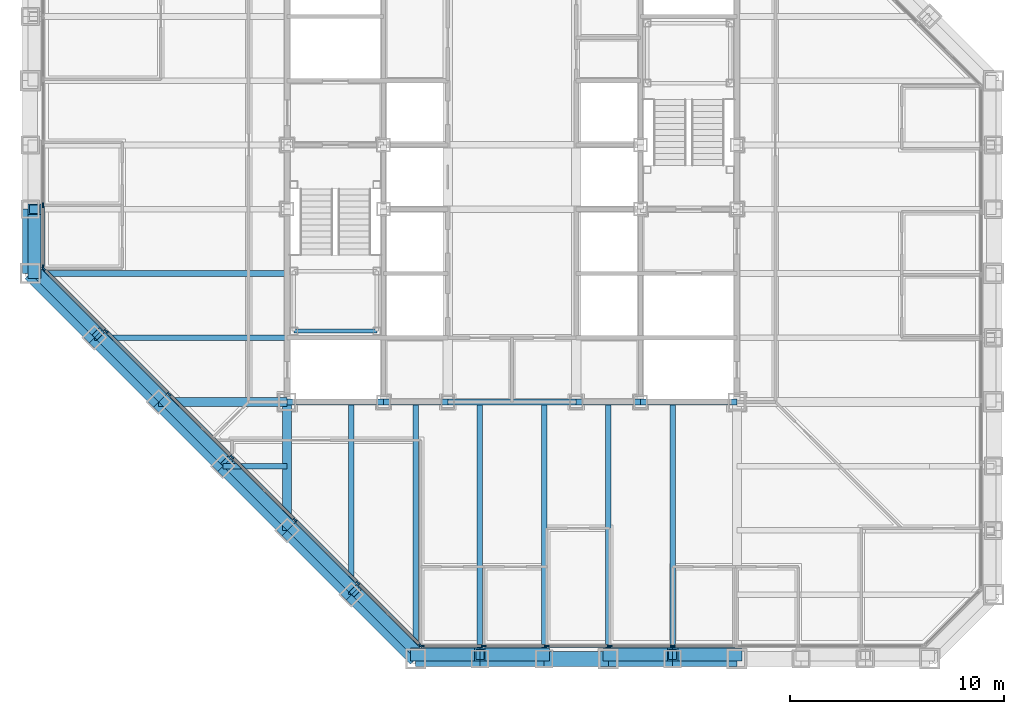
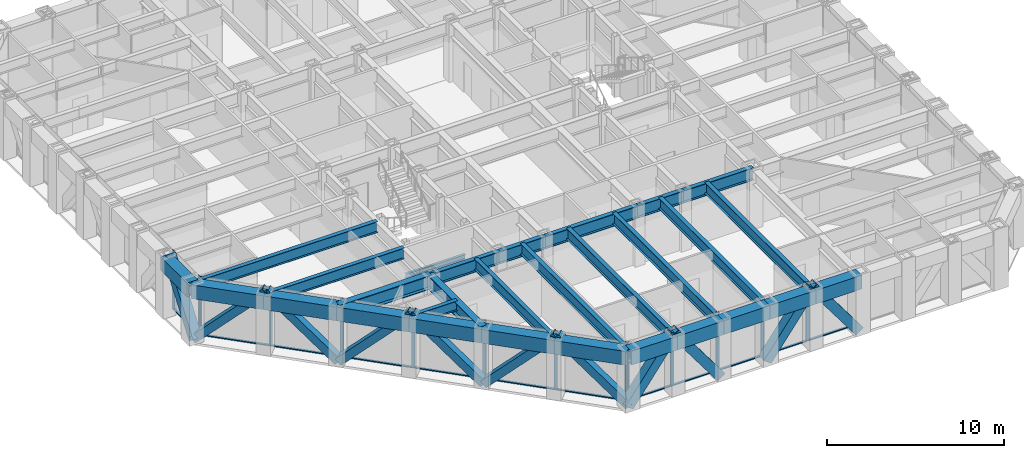
# One storey, part 4 of 17: 37 members, 29 beams, 3 elements without a shape of their own.
"""IFC4 building model written with IfcOpenShell, lengths in metres."""

from ifc_helpers import new_model, si_unit, direction, frame, origin, origin_2d, place, context, subcontext, project, spatial, rectangle, hollow_rectangle, i_section, extrude, material, layer, layer_set, material_profile, profile_set, type_object, element, aggregate, save


model = new_model("IFC4")

# Units and contexts
model_context = context("Model", 3, precision=1e-05, world=origin(), true_north=direction((0.0, 1.0)))
body_context = subcontext(model_context, "Body", "Model", "MODEL_VIEW")
ifc_project = project(units=[si_unit("LENGTHUNIT", "METRE"), si_unit("AREAUNIT", "SQUARE_METRE"), si_unit("VOLUMEUNIT", "CUBIC_METRE"), si_unit("PLANEANGLEUNIT", "RADIAN"), si_unit("MASSUNIT", "GRAM", prefix="KILO")], contexts=[model_context])

# Site, building, storey
site_placement = place(None, origin())
site = spatial("IfcSite", under=ifc_project, at=site_placement, CompositionType="ELEMENT")
building_placement = place(site_placement, origin())
building = spatial("IfcBuilding", under=site, at=building_placement, Name="Chuquiago Exchange Tower", CompositionType="ELEMENT")
storey_placement = place(building_placement, frame((0.0, 0.0, 169.800048828125)))
storey = spatial("IfcBuildingStorey", under=building, at=storey_placement, Name="L37", CompositionType="ELEMENT", Elevation=169.800048828125)

# Beams
ifc_material_1 = material(Name="Steel ASTM A992", Category="steel")
ifc_material_profile_1 = material_profile(ifc_material_1, i_section(OverallWidth=0.2919921875, OverallDepth=0.8583984375, WebThickness=0.01708984375, FlangeThickness=0.031005859375, at=origin_2d()), Name="W33X169")
ifc_profile_set_1 = profile_set([ifc_material_profile_1], Name="Steel ASTM A992")
beam_type_1 = type_object("IfcBeamType", Name="B3 W33X169", PredefinedType="BEAM", material=ifc_profile_set_1)
beam_1_placement = place(storey_placement, frame((12.0, 12.0, 3.610595703125), z_axis=(1.0, 0.0, 0.0), x_axis=(0.0, 1.0, 0.0)))
element("IfcBeam", 1, at=beam_1_placement, inside=storey, type_object=beam_type_1, Name="CB-L38-12_12-16.5_12", PredefinedType="BEAM", context=body_context, shape_type="SweptSolid", body=[
    extrude(i_section(OverallWidth=0.2919921875, OverallDepth=0.8583984375, WebThickness=0.01708984375, FlangeThickness=0.031005859375, at=origin_2d()), origin(), (0.0, 0.0, 1.0), 4.5),
])
beam_2_placement = place(storey_placement, frame((16.5, 12.0, 3.610595703125), z_axis=(1.0, 0.0, 0.0), x_axis=(0.0, 1.0, 0.0)))
element("IfcBeam", 2, at=beam_2_placement, inside=storey, type_object=beam_type_1, Name="CB-L38-16.5_12-19.5_12", PredefinedType="BEAM", context=body_context, shape_type="SweptSolid", body=[
    extrude(i_section(OverallWidth=0.2919921875, OverallDepth=0.8583984375, WebThickness=0.01708984375, FlangeThickness=0.031005859375, at=origin_2d()), origin(), (0.0, 0.0, 1.0), 3.0),
])
beam_3_placement = place(storey_placement, frame((19.5, 12.0, 3.610595703125), z_axis=(1.0, 0.0, 0.0), x_axis=(0.0, 1.0, 0.0)))
element("IfcBeam", 3, at=beam_3_placement, inside=storey, type_object=beam_type_1, Name="CB-L38-19.5_12-25.5_12", PredefinedType="BEAM", context=body_context, shape_type="SweptSolid", body=[
    extrude(i_section(OverallWidth=0.2919921875, OverallDepth=0.8583984375, WebThickness=0.01708984375, FlangeThickness=0.031005859375, at=origin_2d()), origin(), (0.0, 0.0, 1.0), 6.0),
])
beam_4_placement = place(storey_placement, frame((25.5, 12.0, 3.610595703125), z_axis=(1.0, 0.0, 0.0), x_axis=(0.0, 1.0, 0.0)))
element("IfcBeam", 4, at=beam_4_placement, inside=storey, type_object=beam_type_1, Name="CB-L38-25.5_12-28.5_12", PredefinedType="BEAM", context=body_context, shape_type="SweptSolid", body=[
    extrude(i_section(OverallWidth=0.2919921875, OverallDepth=0.8583984375, WebThickness=0.01708984375, FlangeThickness=0.031005859375, at=origin_2d()), origin(), (0.0, 0.0, 1.0), 3.0),
])
beam_5_placement = place(storey_placement, frame((28.5, 12.0, 3.610595703125), z_axis=(1.0, 0.0, 0.0), x_axis=(0.0, 1.0, 0.0)))
element("IfcBeam", 5, at=beam_5_placement, inside=storey, type_object=beam_type_1, Name="CB-L38-28.5_12-33_12", PredefinedType="BEAM", context=body_context, shape_type="SweptSolid", body=[
    extrude(i_section(OverallWidth=0.2919921875, OverallDepth=0.8583984375, WebThickness=0.01708984375, FlangeThickness=0.031005859375, at=origin_2d()), origin(), (0.0, 0.0, 1.0), 4.5),
])
ifc_material_2 = material(Name="Steel ASTM A992", Category="steel")
ifc_material_profile_2 = material_profile(ifc_material_2, i_section(OverallWidth=0.2666015625, OverallDepth=0.761962890625, WebThickness=0.014404296875, FlangeThickness=0.021484375, at=origin_2d()), Name="W30X116")
ifc_profile_set_2 = profile_set([ifc_material_profile_2], Name="Steel ASTM A992")
beam_type_2 = type_object("IfcBeamType", Name="B8 W30X116", PredefinedType="BEAM", material=ifc_profile_set_2)
beam_6_placement = place(storey_placement, frame((15.0, 12.0, 3.658935546875), z_axis=(0.0, -1.0, 0.0), x_axis=(1.0, 0.0, 0.0)))
element("IfcBeam", 6, at=beam_6_placement, inside=storey, type_object=beam_type_2, Name="FB-L38-infill-15_12-15_3-0", PredefinedType="BEAM", context=body_context, shape_type="SweptSolid", body=[
    extrude(i_section(OverallWidth=0.2666015625, OverallDepth=0.761962890625, WebThickness=0.014404296875, FlangeThickness=0.021484375, at=origin_2d()), origin(), (0.0, 0.0, 1.0), 9.0),
])
for number, where, z_axis, x_axis, name in (
    (7, (18.0, 12.0, 3.658935546875), (0.0, -1.0, 0.0), (1.0, 0.0, 0.0), "FB-L38-infill-18_12-18_-0-0"),
    (8, (21.0, 12.0, 3.658935546875), (0.0, -1.0, 0.0), (1.0, 0.0, 0.0), "FB-L38-infill-21_12-21_-0-0"),
    (9, (24.0, 12.0, 3.658935546875), (0.0, -1.0, 0.0), (1.0, 0.0, 0.0), "FB-L38-infill-24_12-24_-0-0"),
    (10, (27.0, 12.0, 3.658935546875), (0.0, -1.0, 0.0), (1.0, 0.0, 0.0), "FB-L38-infill-27_12-27_-0-0"),
    (11, (30.0, 12.0, 3.658935546875), (0.0, -1.0, 0.0), (1.0, 0.0, 0.0), "FB-L38-infill-30_12-30_-0-0"),
):
    element("IfcBeam", number, at=place(storey_placement, frame(where, z_axis=z_axis, x_axis=x_axis)), inside=storey, type_object=beam_type_2, Name=name, PredefinedType="BEAM", context=body_context, shape_type="SweptSolid", body=[
        extrude(i_section(OverallWidth=0.2666015625, OverallDepth=0.761962890625, WebThickness=0.014404296875, FlangeThickness=0.021484375, at=origin_2d()), origin(), (0.0, 0.0, 1.0), 12.0),
    ])
beam_7_placement = place(storey_placement, frame((12.0, 15.0, 3.658935546875), z_axis=(-1.0, 0.0, 0.0), x_axis=(0.0, -1.0, 0.0)))
element("IfcBeam", 12, at=beam_7_placement, inside=storey, type_object=beam_type_2, Name="FB-L38-infill-12_15-3_15-0", PredefinedType="BEAM", context=body_context, shape_type="SweptSolid", body=[
    extrude(i_section(OverallWidth=0.2666015625, OverallDepth=0.761962890625, WebThickness=0.014404296875, FlangeThickness=0.021484375, at=origin_2d()), origin(), (0.0, 0.0, 1.0), 9.0),
])
beam_8_placement = place(storey_placement, frame((12.0, 18.0, 3.658935546875), z_axis=(-1.0, 0.0, 0.0), x_axis=(0.0, -1.0, 0.0)))
element("IfcBeam", 13, at=beam_8_placement, inside=storey, type_object=beam_type_2, Name="FB-L38-infill-12_18--0_18-0", PredefinedType="BEAM", context=body_context, shape_type="SweptSolid", body=[
    extrude(i_section(OverallWidth=0.2666015625, OverallDepth=0.761962890625, WebThickness=0.014404296875, FlangeThickness=0.021484375, at=origin_2d()), origin(), (0.0, 0.0, 1.0), 12.0),
])
ifc_material_3 = material(Name="Steel ASTM A992", Category="steel")
ifc_material_profile_3 = material_profile(ifc_material_3, i_section(OverallWidth=0.256591796875, OverallDepth=0.693359375, WebThickness=0.014404296875, FlangeThickness=0.023681640625, at=origin_2d()), Name="W27X114")
ifc_profile_set_3 = profile_set([ifc_material_profile_3], Name="Steel ASTM A992")
beam_type_3 = type_object("IfcBeamType", Name="B9 W27X114", PredefinedType="BEAM", material=ifc_profile_set_3)
beam_9_placement = place(storey_placement, frame((12.0, 9.0, 3.693359375), z_axis=(-1.0, 0.0, 0.0), x_axis=(0.0, -1.0, 0.0)))
element("IfcBeam", 14, at=beam_9_placement, inside=storey, type_object=beam_type_3, Name="FB-L38-corner-12_9-9_9-0", PredefinedType="BEAM", context=body_context, shape_type="SweptSolid", body=[
    extrude(i_section(OverallWidth=0.256591796875, OverallDepth=0.693359375, WebThickness=0.014404296875, FlangeThickness=0.023681640625, at=origin_2d()), origin(), (0.0, 0.0, 1.0), 3.0),
])

# Curtain wall, members
ifc_material_4 = material(Name="Aluminium curtain wall system", Category="aluminium")
ifc_layer_1 = layer(ifc_material_4, 0.22509765625)
ifc_layer_set_1 = layer_set([ifc_layer_1], Name="CW2 office curtain wall")
curtain_wall_type_1 = type_object("IfcCurtainWallType", Name="CW2 office curtain wall", PredefinedType="NOTDEFINED", material=ifc_layer_set_1)
curtain_wall_1_placement = place(storey_placement, origin())
curtain_wall_1 = element("IfcCurtainWall", 15, at=curtain_wall_1_placement, inside=storey, type_object=curtain_wall_type_1, Name="CW2 curtain wall L37", PredefinedType="NOTDEFINED")
ifc_material_5 = material(Name="Aluminium mullion, pale anodised", Category="aluminium")
ifc_material_profile_4 = material_profile(ifc_material_5, rectangle(XDim=0.06494140625, YDim=0.22509765625, at=origin_2d()), Name="AL 65x225")
ifc_profile_set_4 = profile_set([ifc_material_profile_4], Name="Aluminium mullion, pale anodised")
member_type_1 = type_object("IfcMemberType", Name="CW2-M mullion 65x225", PredefinedType="MULLION", material=ifc_profile_set_4)
member_1_placement = place(storey_placement, frame((18.281005859375, 0.60009765625, 0.0), z_axis=(0.0, 0.0, 1.0), x_axis=(0.0, 1.0, 0.0)))
member_1 = element("IfcMember", 16, at=member_1_placement, type_object=member_type_1, Name="CW2 mullion 1", PredefinedType="MULLION", context=body_context, shape_type="SweptSolid", body=[
    extrude(rectangle(XDim=0.06494140625, YDim=0.22509765625, at=origin_2d()), origin(), (0.0, 0.0, 1.0), 4.0400390625),
])
member_2_placement = place(storey_placement, frame((21.186279296875, 0.60009765625, 0.0), z_axis=(0.0, 0.0, 1.0), x_axis=(0.0, 1.0, 0.0)))
member_2 = element("IfcMember", 17, at=member_2_placement, type_object=member_type_1, Name="CW2 mullion 2", PredefinedType="MULLION", context=body_context, shape_type="SweptSolid", body=[
    extrude(rectangle(XDim=0.06494140625, YDim=0.22509765625, at=origin_2d()), origin(), (0.0, 0.0, 1.0), 4.0400390625),
])
member_3_placement = place(storey_placement, frame((24.124267578125, 0.60009765625, 0.0), z_axis=(0.0, 0.0, 1.0), x_axis=(0.0, 1.0, 0.0)))
member_3 = element("IfcMember", 18, at=member_3_placement, type_object=member_type_1, Name="CW2 mullion 3", PredefinedType="MULLION", context=body_context, shape_type="SweptSolid", body=[
    extrude(rectangle(XDim=0.06494140625, YDim=0.22509765625, at=origin_2d()), origin(), (0.0, 0.0, 1.0), 4.0400390625),
])
member_4_placement = place(storey_placement, frame((27.06201171875, 0.60009765625, 0.0), z_axis=(0.0, 0.0, 1.0), x_axis=(0.0, 1.0, 0.0)))
member_4 = element("IfcMember", 19, at=member_4_placement, type_object=member_type_1, Name="CW2 mullion 4", PredefinedType="MULLION", context=body_context, shape_type="SweptSolid", body=[
    extrude(rectangle(XDim=0.06494140625, YDim=0.22509765625, at=origin_2d()), origin(), (0.0, 0.0, 1.0), 4.0400390625),
])
member_5_placement = place(storey_placement, frame((30.0, 0.60009765625, 0.0), z_axis=(0.0, 0.0, 1.0), x_axis=(0.0, 1.0, 0.0)))
member_5 = element("IfcMember", 20, at=member_5_placement, type_object=member_type_1, Name="CW2 mullion 5", PredefinedType="MULLION", context=body_context, shape_type="SweptSolid", body=[
    extrude(rectangle(XDim=0.06494140625, YDim=0.22509765625, at=origin_2d()), origin(), (0.0, 0.0, 1.0), 4.0400390625),
])

curtain_wall_2_placement = place(storey_placement, origin())
curtain_wall_2 = element("IfcCurtainWall", 21, at=curtain_wall_2_placement, inside=storey, type_object=curtain_wall_type_1, Name="CW2 curtain wall L37", PredefinedType="NOTDEFINED")
member_6_placement = place(storey_placement, frame((0.60009765625, 21.186279296875, 0.0), z_axis=(0.0, 0.0, 1.0), x_axis=(1.0, 0.0, 0.0)))
member_6 = element("IfcMember", 22, at=member_6_placement, type_object=member_type_1, Name="CW2 mullion 8", PredefinedType="MULLION", context=body_context, shape_type="SweptSolid", body=[
    extrude(rectangle(XDim=0.06494140625, YDim=0.22509765625, at=origin_2d()), origin(), (0.0, 0.0, 1.0), 4.0400390625),
])
member_7_placement = place(storey_placement, frame((0.60009765625, 18.281005859375, 0.0), z_axis=(0.0, 0.0, 1.0), x_axis=(1.0, 0.0, 0.0)))
member_7 = element("IfcMember", 23, at=member_7_placement, type_object=member_type_1, Name="CW2 mullion 9", PredefinedType="MULLION", context=body_context, shape_type="SweptSolid", body=[
    extrude(rectangle(XDim=0.06494140625, YDim=0.22509765625, at=origin_2d()), origin(), (0.0, 0.0, 1.0), 4.0400390625),
])

# Member
ifc_material_6 = material(Name="Aluminium transom, pale anodised", Category="aluminium")
ifc_material_profile_5 = material_profile(ifc_material_6, rectangle(XDim=0.139892578125, YDim=0.06494140625, at=origin_2d()), Name="AL 140x65")
ifc_profile_set_5 = profile_set([ifc_material_profile_5], Name="Aluminium transom, pale anodised")
member_type_2 = type_object("IfcMemberType", Name="CW2-T transom 65x140", PredefinedType="MULLION", material=ifc_profile_set_5)
member_8_placement = place(storey_placement, frame((18.3134765625, 0.60009765625, 0.032470703125), z_axis=(1.0, 0.0, 0.0), x_axis=(0.0, 1.0, 0.0)))
member_8 = element("IfcMember", 24, at=member_8_placement, type_object=member_type_2, Name="CW2 transom 1.1", PredefinedType="MULLION", context=body_context, shape_type="SweptSolid", body=[
    extrude(rectangle(XDim=0.139892578125, YDim=0.06494140625, at=origin_2d()), origin(), (0.0, 0.0, 1.0), 2.84033203125),
])

member_9_placement = place(storey_placement, frame((21.218994140625, 0.60009765625, 0.032470703125), z_axis=(1.0, 0.0, 0.0), x_axis=(0.0, 1.0, 0.0)))
member_9 = element("IfcMember", 25, at=member_9_placement, type_object=member_type_2, Name="CW2 transom 2.1", PredefinedType="MULLION", context=body_context, shape_type="SweptSolid", body=[
    extrude(rectangle(XDim=0.139892578125, YDim=0.06494140625, at=origin_2d()), origin(), (0.0, 0.0, 1.0), 2.872802734375),
])

member_10_placement = place(storey_placement, frame((24.15673828125, 0.60009765625, 0.032470703125), z_axis=(1.0, 0.0, 0.0), x_axis=(0.0, 1.0, 0.0)))
member_10 = element("IfcMember", 26, at=member_10_placement, type_object=member_type_2, Name="CW2 transom 3.1", PredefinedType="MULLION", context=body_context, shape_type="SweptSolid", body=[
    extrude(rectangle(XDim=0.139892578125, YDim=0.06494140625, at=origin_2d()), origin(), (0.0, 0.0, 1.0), 2.872802734375),
])

member_11_placement = place(storey_placement, frame((27.0947265625, 0.60009765625, 0.032470703125), z_axis=(1.0, 0.0, 0.0), x_axis=(0.0, 1.0, 0.0)))
member_11 = element("IfcMember", 27, at=member_11_placement, type_object=member_type_2, Name="CW2 transom 4.1", PredefinedType="MULLION", context=body_context, shape_type="SweptSolid", body=[
    extrude(rectangle(XDim=0.139892578125, YDim=0.06494140625, at=origin_2d()), origin(), (0.0, 0.0, 1.0), 2.872802734375),
])

member_12_placement = place(storey_placement, frame((30.032470703125, 0.60009765625, 0.032470703125), z_axis=(1.0, 0.0, 0.0), x_axis=(0.0, 1.0, 0.0)))
member_12 = element("IfcMember", 28, at=member_12_placement, type_object=member_type_2, Name="CW2 transom 5.1", PredefinedType="MULLION", context=body_context, shape_type="SweptSolid", body=[
    extrude(rectangle(XDim=0.139892578125, YDim=0.06494140625, at=origin_2d()), origin(), (0.0, 0.0, 1.0), 2.872802734375),
])

aggregate(curtain_wall_1, [member_1, member_2, member_3, member_4, member_5, member_8, member_9, member_10, member_11, member_12])

member_13_placement = place(storey_placement, frame((0.60009765625, 21.15380859375, 0.032470703125), z_axis=(0.0, -1.0, 0.0), x_axis=(1.0, 0.0, 0.0)))
member_13 = element("IfcMember", 29, at=member_13_placement, type_object=member_type_2, Name="CW2 transom 8.1", PredefinedType="MULLION", context=body_context, shape_type="SweptSolid", body=[
    extrude(rectangle(XDim=0.139892578125, YDim=0.06494140625, at=origin_2d()), origin(), (0.0, 0.0, 1.0), 2.84033203125),
])

aggregate(curtain_wall_2, [member_6, member_7, member_13])

# Curtain wall, members
ifc_material_7 = material(Name="Aluminium curtain wall system", Category="aluminium")
ifc_layer_2 = layer(ifc_material_7, 0.199951171875)
ifc_layer_set_2 = layer_set([ifc_layer_2], Name="CW3 facet curtain wall")
curtain_wall_type_2 = type_object("IfcCurtainWallType", Name="CW3 facet curtain wall", PredefinedType="NOTDEFINED", material=ifc_layer_set_2)
curtain_wall_3_placement = place(storey_placement, origin())
curtain_wall_3 = element("IfcCurtainWall", 30, at=curtain_wall_3_placement, inside=storey, type_object=curtain_wall_type_2, Name="CW3 curtain wall L37", PredefinedType="NOTDEFINED")
ifc_material_8 = material(Name="Aluminium mullion, pale anodised", Category="aluminium")
ifc_material_profile_6 = material_profile(ifc_material_8, rectangle(XDim=0.06494140625, YDim=0.199951171875, at=origin_2d()), Name="AL 65x200")
ifc_profile_set_6 = profile_set([ifc_material_profile_6], Name="Aluminium mullion, pale anodised")
member_type_3 = type_object("IfcMemberType", Name="CW3-M mullion 65x200", PredefinedType="MULLION", material=ifc_profile_set_6)
member_14_placement = place(storey_placement, frame((0.623046875, 18.2255859375, 0.0), z_axis=(0.0, 0.0, 1.0), x_axis=(0.707106781187, 0.707106781187, 0.0)))
member_14 = element("IfcMember", 31, at=member_14_placement, type_object=member_type_3, Name="CW3 mullion 1", PredefinedType="MULLION", context=body_context, shape_type="SweptSolid", body=[
    extrude(rectangle(XDim=0.06494140625, YDim=0.199951171875, at=origin_2d()), origin(), (0.0, 0.0, 1.0), 4.0400390625),
])
member_15_placement = place(storey_placement, frame((3.54150390625, 15.30712890625, 0.0), z_axis=(0.0, 0.0, 1.0), x_axis=(0.707106781187, 0.707106781187, 0.0)))
member_15 = element("IfcMember", 32, at=member_15_placement, type_object=member_type_3, Name="CW3 mullion 2", PredefinedType="MULLION", context=body_context, shape_type="SweptSolid", body=[
    extrude(rectangle(XDim=0.06494140625, YDim=0.199951171875, at=origin_2d()), origin(), (0.0, 0.0, 1.0), 4.0400390625),
])
member_16_placement = place(storey_placement, frame((6.48291015625, 12.36572265625, 0.0), z_axis=(0.0, 0.0, 1.0), x_axis=(0.707106781187, 0.707106781187, 0.0)))
member_16 = element("IfcMember", 33, at=member_16_placement, type_object=member_type_3, Name="CW3 mullion 3", PredefinedType="MULLION", context=body_context, shape_type="SweptSolid", body=[
    extrude(rectangle(XDim=0.06494140625, YDim=0.199951171875, at=origin_2d()), origin(), (0.0, 0.0, 1.0), 4.0400390625),
])
member_17_placement = place(storey_placement, frame((9.42431640625, 9.42431640625, 0.0), z_axis=(0.0, 0.0, 1.0), x_axis=(0.707106781187, 0.707106781187, 0.0)))
member_17 = element("IfcMember", 34, at=member_17_placement, type_object=member_type_3, Name="CW3 mullion 4", PredefinedType="MULLION", context=body_context, shape_type="SweptSolid", body=[
    extrude(rectangle(XDim=0.06494140625, YDim=0.199951171875, at=origin_2d()), origin(), (0.0, 0.0, 1.0), 4.0400390625),
])
member_18_placement = place(storey_placement, frame((12.36572265625, 6.48291015625, 0.0), z_axis=(0.0, 0.0, 1.0), x_axis=(0.707106781187, 0.707106781187, 0.0)))
member_18 = element("IfcMember", 35, at=member_18_placement, type_object=member_type_3, Name="CW3 mullion 5", PredefinedType="MULLION", context=body_context, shape_type="SweptSolid", body=[
    extrude(rectangle(XDim=0.06494140625, YDim=0.199951171875, at=origin_2d()), origin(), (0.0, 0.0, 1.0), 4.0400390625),
])
member_19_placement = place(storey_placement, frame((15.30712890625, 3.54150390625, 0.0), z_axis=(0.0, 0.0, 1.0), x_axis=(0.707106781187, 0.707106781187, 0.0)))
member_19 = element("IfcMember", 36, at=member_19_placement, type_object=member_type_3, Name="CW3 mullion 6", PredefinedType="MULLION", context=body_context, shape_type="SweptSolid", body=[
    extrude(rectangle(XDim=0.06494140625, YDim=0.199951171875, at=origin_2d()), origin(), (0.0, 0.0, 1.0), 4.0400390625),
])
member_20_placement = place(storey_placement, frame((18.2255859375, 0.623046875, 0.0), z_axis=(0.0, 0.0, 1.0), x_axis=(0.707106781187, 0.707106781187, 0.0)))
member_20 = element("IfcMember", 37, at=member_20_placement, type_object=member_type_3, Name="CW3 mullion 7", PredefinedType="MULLION", context=body_context, shape_type="SweptSolid", body=[
    extrude(rectangle(XDim=0.06494140625, YDim=0.199951171875, at=origin_2d()), origin(), (0.0, 0.0, 1.0), 4.0400390625),
])
ifc_material_9 = material(Name="Aluminium transom, pale anodised", Category="aluminium")
ifc_material_profile_7 = material_profile(ifc_material_9, rectangle(XDim=0.139892578125, YDim=0.06494140625, at=origin_2d()), Name="AL 140x65")
ifc_profile_set_7 = profile_set([ifc_material_profile_7], Name="Aluminium transom, pale anodised")
member_type_4 = type_object("IfcMemberType", Name="CW3-T transom 65x140", PredefinedType="MULLION", material=ifc_profile_set_7)
member_21_placement = place(storey_placement, frame((0.64599609375, 18.20263671875, 0.032470703125), z_axis=(0.707106781187, -0.707106781187, 0.0), x_axis=(0.707106781187, 0.707106781187, 0.0)))
member_21 = element("IfcMember", 38, at=member_21_placement, type_object=member_type_4, Name="CW3 transom 1.1", PredefinedType="MULLION", context=body_context, shape_type="SweptSolid", body=[
    extrude(rectangle(XDim=0.139892578125, YDim=0.06494140625, at=origin_2d()), origin(), (0.0, 0.0, 1.0), 4.0625),
])
member_22_placement = place(storey_placement, frame((3.564453125, 15.2841796875, 0.032470703125), z_axis=(0.707106781187, -0.707106781187, 0.0), x_axis=(0.707106781187, 0.707106781187, 0.0)))
member_22 = element("IfcMember", 39, at=member_22_placement, type_object=member_type_4, Name="CW3 transom 2.1", PredefinedType="MULLION", context=body_context, shape_type="SweptSolid", body=[
    extrude(rectangle(XDim=0.139892578125, YDim=0.06494140625, at=origin_2d()), origin(), (0.0, 0.0, 1.0), 4.094970703125),
])
member_23_placement = place(storey_placement, frame((6.505859375, 12.3427734375, 0.032470703125), z_axis=(0.707106781187, -0.707106781187, 0.0), x_axis=(0.707106781187, 0.707106781187, 0.0)))
member_23 = element("IfcMember", 40, at=member_23_placement, type_object=member_type_4, Name="CW3 transom 3.1", PredefinedType="MULLION", context=body_context, shape_type="SweptSolid", body=[
    extrude(rectangle(XDim=0.139892578125, YDim=0.06494140625, at=origin_2d()), origin(), (0.0, 0.0, 1.0), 4.094970703125),
])
member_24_placement = place(storey_placement, frame((9.447265625, 9.4013671875, 0.032470703125), z_axis=(0.707106781187, -0.707106781187, 0.0), x_axis=(0.707106781187, 0.707106781187, 0.0)))
member_24 = element("IfcMember", 41, at=member_24_placement, type_object=member_type_4, Name="CW3 transom 4.1", PredefinedType="MULLION", context=body_context, shape_type="SweptSolid", body=[
    extrude(rectangle(XDim=0.139892578125, YDim=0.06494140625, at=origin_2d()), origin(), (0.0, 0.0, 1.0), 4.094970703125),
])
member_25_placement = place(storey_placement, frame((12.388671875, 6.4599609375, 0.032470703125), z_axis=(0.707106781187, -0.707106781187, 0.0), x_axis=(0.707106781187, 0.707106781187, 0.0)))
member_25 = element("IfcMember", 42, at=member_25_placement, type_object=member_type_4, Name="CW3 transom 5.1", PredefinedType="MULLION", context=body_context, shape_type="SweptSolid", body=[
    extrude(rectangle(XDim=0.139892578125, YDim=0.06494140625, at=origin_2d()), origin(), (0.0, 0.0, 1.0), 4.094970703125),
])
member_26_placement = place(storey_placement, frame((15.330078125, 3.5185546875, 0.032470703125), z_axis=(0.707106781187, -0.707106781187, 0.0), x_axis=(0.707106781187, 0.707106781187, 0.0)))
member_26 = element("IfcMember", 43, at=member_26_placement, type_object=member_type_4, Name="CW3 transom 6.1", PredefinedType="MULLION", context=body_context, shape_type="SweptSolid", body=[
    extrude(rectangle(XDim=0.139892578125, YDim=0.06494140625, at=origin_2d()), origin(), (0.0, 0.0, 1.0), 4.0625),
])
aggregate(curtain_wall_3, [member_14, member_15, member_16, member_17, member_18, member_19, member_20, member_21, member_22, member_23, member_24, member_25, member_26])

# Beams
ifc_material_10 = material(Name="Steel ASTM A992", Category="steel")
ifc_material_profile_8 = material_profile(ifc_material_10, i_section(OverallWidth=0.424072265625, OverallDepth=0.947509765625, WebThickness=0.02392578125, FlangeThickness=0.042724609375, at=origin_2d()), Name="W36X302")
ifc_profile_set_8 = profile_set([ifc_material_profile_8], Name="Steel ASTM A992")
beam_type_4 = type_object("IfcBeamType", Name="G4 W36X302", PredefinedType="BEAM", material=ifc_profile_set_8)
for number, where, z_axis, x_axis, name in (
    (44, (12.0, 12.0, 3.566162109375), (0.0, -1.0, 0.0), (1.0, 0.0, 0.0), "FB-L38-girder-12_12-12_6-0"),
    (45, (12.0, 12.0, 3.566162109375), (-1.0, 0.0, 0.0), (0.0, -1.0, 0.0), "FB-L38-girder-12_12-6_12-0"),
):
    element("IfcBeam", number, at=place(storey_placement, frame(where, z_axis=z_axis, x_axis=x_axis)), inside=storey, type_object=beam_type_4, Name=name, PredefinedType="BEAM", context=body_context, shape_type="SweptSolid", body=[
        extrude(i_section(OverallWidth=0.424072265625, OverallDepth=0.947509765625, WebThickness=0.02392578125, FlangeThickness=0.042724609375, at=origin_2d()), origin(), (0.0, 0.0, 1.0), 6.0),
    ])

# Members
ifc_material_11 = material(Name="Steel ASTM A500 Grade C", Category="steel")
ifc_material_profile_9 = material_profile(ifc_material_11, hollow_rectangle(XDim=0.508056640625, YDim=0.508056640625, WallThickness=0.017822265625, at=origin_2d()), Name="HSS20X20X3/4")
ifc_profile_set_9 = profile_set([ifc_material_profile_9], Name="Steel ASTM A500 Grade C")
member_type_5 = type_object("IfcMemberType", Name="LB1 HSS20X20X3/4", PredefinedType="BRACE", material=ifc_profile_set_9)
for number, where, z_axis, x_axis, name in (
    (46, (0.177490234375, 18.177490234375, 0.0), (0.512077265487, -0.512077265487, 0.689604051861), (0.707106781187, 0.707106781187, 0.0), "LB-L37-0_18-3_15"),
    (47, (6.177490234375, 12.177490234375, 0.0), (-0.512077265487, 0.512077265487, 0.689604051861), (-0.707106781187, -0.707106781187, 0.0), "LB-L37-3_15-6_12"),
    (48, (6.177490234375, 12.177490234375, 0.0), (0.512077265487, -0.512077265487, 0.689604051861), (0.707106781187, 0.707106781187, 0.0), "LB-L37-6_12-9_9"),
    (49, (12.177490234375, 6.177490234375, 0.0), (-0.512077265487, 0.512077265487, 0.689604051861), (-0.707106781187, -0.707106781187, 0.0), "LB-L37-9_9-12_6"),
    (50, (12.177490234375, 6.177490234375, 0.0), (0.512077265487, -0.512077265487, 0.689604051861), (0.707106781187, 0.707106781187, 0.0), "LB-L37-12_6-15_3"),
    (51, (18.177490234375, 0.177490234375, 0.0), (-0.512077265487, 0.512077265487, 0.689604051861), (-0.707106781187, -0.707106781187, 0.0), "LB-L37-15_3-18_0"),
):
    element("IfcMember", number, at=place(storey_placement, frame(where, z_axis=z_axis, x_axis=x_axis)), inside=storey, type_object=member_type_5, Name=name, PredefinedType="BRACE", context=body_context, shape_type="SweptSolid", body=[
        extrude(hollow_rectangle(XDim=0.508056640625, YDim=0.508056640625, WallThickness=0.017822265625, at=origin_2d()), origin(), (0.0, 0.0, 1.0), 5.8583984375),
    ])

# Beam
ifc_material_12 = material(Name="Steel ASTM A992", Category="steel")
ifc_material_profile_10 = material_profile(ifc_material_12, i_section(OverallWidth=0.164794921875, OverallDepth=0.309814453125, WebThickness=0.005859375, FlangeThickness=0.009765625, at=origin_2d()), Name="W12X26")
ifc_profile_set_10 = profile_set([ifc_material_profile_10], Name="Steel ASTM A992")
beam_type_5 = type_object("IfcBeamType", Name="LT1 W12X26", PredefinedType="BEAM", material=ifc_profile_set_10)
beam_10_placement = place(storey_placement, frame((12.31005859375, 15.31005859375, 1.7451171875), z_axis=(1.0, 0.0, 0.0), x_axis=(0.0, 1.0, 0.0)))
element("IfcBeam", 52, at=beam_10_placement, inside=storey, type_object=beam_type_5, Name="Stair ST1 L37 landing 1 trimmer", PredefinedType="BEAM", context=body_context, shape_type="SweptSolid", body=[
    extrude(i_section(OverallWidth=0.164794921875, OverallDepth=0.309814453125, WebThickness=0.005859375, FlangeThickness=0.009765625, at=origin_2d()), origin(), (0.0, 0.0, 1.0), 3.8798828125),
])

# Members
ifc_material_13 = material(Name="Steel ASTM A572 Grade 50", Category="steel")
ifc_material_profile_11 = material_profile(ifc_material_13, hollow_rectangle(XDim=0.60009765625, YDim=0.60009765625, WallThickness=0.06005859375, at=origin_2d()), Name="BOX600X600X60")
ifc_profile_set_11 = profile_set([ifc_material_profile_11], Name="Steel ASTM A572 Grade 50")
member_type_6 = type_object("IfcMemberType", Name="MB2 BOX600X600X60", PredefinedType="BRACE", material=ifc_profile_set_11)
for number, where, z_axis, x_axis, name in (
    (53, (18.0, 0.205078125, 0.0), (0.596173923302, 0.0, 0.802855312728), (0.0, 1.0, 0.0), "Mega diagonal L37 S face"),
    (54, (24.0, 0.205078125, 0.0), (-0.596173923302, 0.0, 0.802855312728), (0.0, -1.0, 0.0), "Mega diagonal L37 S face"),
    (55, (27.0, 0.205078125, 0.0), (0.596173923302, 0.0, 0.802855312728), (0.0, 1.0, 0.0), "Mega diagonal L37 S face"),
    (56, (33.0, 0.205078125, 0.0), (-0.596173923302, 0.0, 0.802855312728), (0.0, -1.0, 0.0), "Mega diagonal L37 S face"),
    (57, (0.205078125, 18.0, 0.0), (0.0, 0.596173923302, 0.802855312728), (-1.0, 0.0, 0.0), "Mega diagonal L37 W face"),
):
    element("IfcMember", number, at=place(storey_placement, frame(where, z_axis=z_axis, x_axis=x_axis)), inside=storey, type_object=member_type_6, Name=name, PredefinedType="BRACE", context=body_context, shape_type="SweptSolid", body=[
        extrude(hollow_rectangle(XDim=0.60009765625, YDim=0.60009765625, WallThickness=0.06005859375, at=origin_2d()), origin(), (0.0, 0.0, 1.0), 5.031982421875),
    ])

# Beams
ifc_material_14 = material(Name="Steel ASTM A572 Grade 50", Category="steel")
ifc_material_profile_12 = material_profile(ifc_material_14, hollow_rectangle(XDim=0.699951171875, YDim=0.949951171875, WallThickness=0.10009765625, at=origin_2d()), Name="BOX950X700X100")
ifc_profile_set_12 = profile_set([ifc_material_profile_12], Name="Steel ASTM A572 Grade 50")
beam_type_6 = type_object("IfcBeamType", Name="SP5 BOX950X700X100", PredefinedType="SPANDREL", material=ifc_profile_set_12)
for number, where, z_axis, x_axis, name in (
    (58, (18.0, 0.0, 3.56494140625), (1.0, 0.0, 0.0), (0.0, 1.0, 0.0), "SPB-L38-18_0-21_0"),
    (59, (21.0, 0.0, 3.56494140625), (1.0, 0.0, 0.0), (0.0, 1.0, 0.0), "SPB-L38-21_0-24_0"),
    (60, (24.0, 0.0, 3.56494140625), (1.0, 0.0, 0.0), (0.0, 1.0, 0.0), "SPB-L38-24_0-27_0"),
    (61, (27.0, 0.0, 3.56494140625), (1.0, 0.0, 0.0), (0.0, 1.0, 0.0), "SPB-L38-27_0-30_0"),
    (62, (30.0, 0.0, 3.56494140625), (1.0, 0.0, 0.0), (0.0, 1.0, 0.0), "SPB-L38-30_0-33_0"),
    (63, (0.0, 21.0, 3.56494140625), (0.0, -1.0, 0.0), (1.0, 0.0, 0.0), "SPB-L38-0_21-0_18"),
):
    element("IfcBeam", number, at=place(storey_placement, frame(where, z_axis=z_axis, x_axis=x_axis)), inside=storey, type_object=beam_type_6, Name=name, PredefinedType="SPANDREL", context=body_context, shape_type="SweptSolid", body=[
        extrude(hollow_rectangle(XDim=0.699951171875, YDim=0.949951171875, WallThickness=0.10009765625, at=origin_2d()), origin(), (0.0, 0.0, 1.0), 3.0),
    ])
for number, where, z_axis, x_axis, name in (
    (64, (0.0, 18.0, 3.56494140625), (0.707106781187, -0.707106781187, 0.0), (0.707106781187, 0.707106781187, 0.0), "SPB-L38-0_18-3_15"),
    (65, (3.0, 15.0, 3.56494140625), (0.707106781187, -0.707106781187, 0.0), (0.707106781187, 0.707106781187, 0.0), "SPB-L38-3_15-6_12"),
    (66, (6.0, 12.0, 3.56494140625), (0.707106781187, -0.707106781187, 0.0), (0.707106781187, 0.707106781187, 0.0), "SPB-L38-6_12-9_9"),
    (67, (9.0, 9.0, 3.56494140625), (0.707106781187, -0.707106781187, 0.0), (0.707106781187, 0.707106781187, 0.0), "SPB-L38-9_9-12_6"),
    (68, (12.0, 6.0, 3.56494140625), (0.707106781187, -0.707106781187, 0.0), (0.707106781187, 0.707106781187, 0.0), "SPB-L38-12_6-15_3"),
    (69, (15.0, 3.0, 3.56494140625), (0.707106781187, -0.707106781187, 0.0), (0.707106781187, 0.707106781187, 0.0), "SPB-L38-15_3-18_0"),
):
    element("IfcBeam", number, at=place(storey_placement, frame(where, z_axis=z_axis, x_axis=x_axis)), inside=storey, type_object=beam_type_6, Name=name, PredefinedType="SPANDREL", context=body_context, shape_type="SweptSolid", body=[
        extrude(hollow_rectangle(XDim=0.699951171875, YDim=0.949951171875, WallThickness=0.10009765625, at=origin_2d()), origin(), (0.0, 0.0, 1.0), 4.24267578125),
    ])

save(model, "model.ifc")
